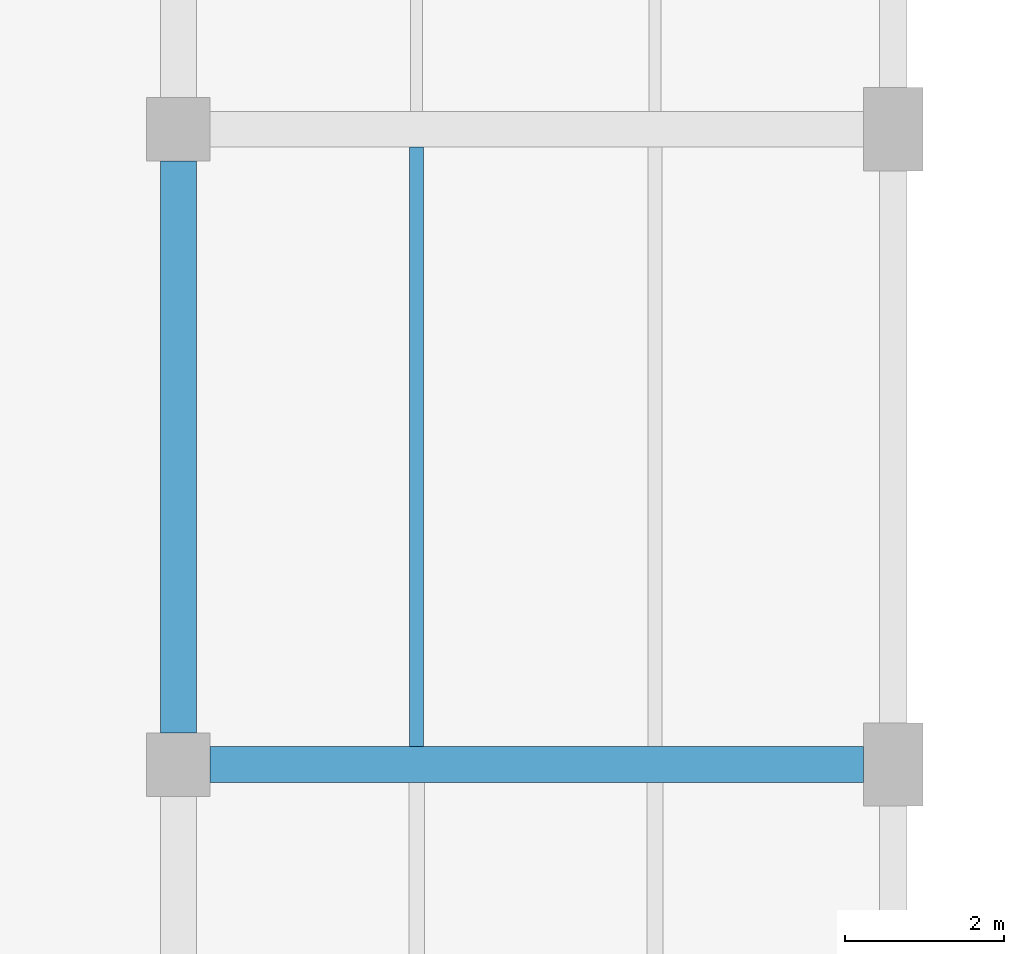
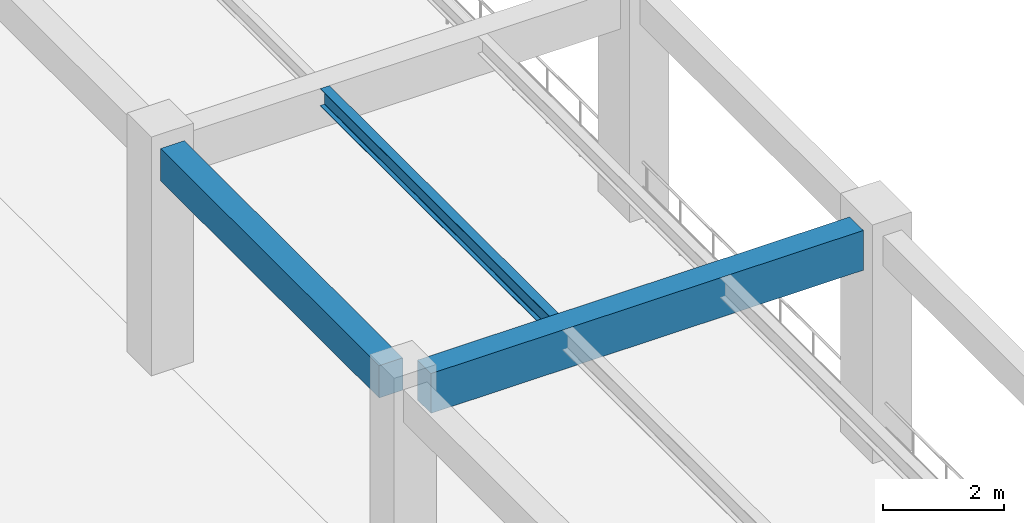
# One storey, part 70 of 178: 3 beams.
"""IFC4 building model written with IfcOpenShell, lengths in metres."""

from ifc_helpers import new_model, si_unit, derived_unit, direction, frame, origin, origin_2d, place, context, subcontext, project, spatial, rectangle, i_section, extrude, material, material_profile, profile_set, type_object, element, save


model = new_model("IFC4")

# Units and contexts
model_context = context("Model", 3, precision=1e-05, world=origin(), true_north=direction((0.0, 1.0)))
body_context = subcontext(model_context, "Body", "Model", "MODEL_VIEW")
ifc_project = project(units=[si_unit("LENGTHUNIT", "METRE"), si_unit("AREAUNIT", "SQUARE_METRE"), si_unit("VOLUMEUNIT", "CUBIC_METRE"), si_unit("PLANEANGLEUNIT", "RADIAN"), si_unit("MASSUNIT", "GRAM", prefix="KILO"), derived_unit("THERMALTRANSMITTANCEUNIT", [(si_unit("MASSUNIT", "GRAM", prefix="KILO"), 1), (si_unit("TIMEUNIT", "SECOND"), -3), (si_unit("THERMODYNAMICTEMPERATUREUNIT", "KELVIN"), -1)])], contexts=[model_context])

# Site, building, storey
site_placement = place(None, origin())
site = spatial("IfcSite", under=ifc_project, at=site_placement, CompositionType="ELEMENT")
building_placement = place(site_placement, origin())
building = spatial("IfcBuilding", under=site, at=building_placement, Name="Zhenchuan Archway Interchange", CompositionType="ELEMENT")
storey_placement = place(building_placement, frame((0.0, 0.0, 5.39990234375)))
storey = spatial("IfcBuildingStorey", under=building, at=storey_placement, Name="L01", CompositionType="ELEMENT", Elevation=5.39990234375)

# Beams
ifc_material_1 = material(Name="Concrete C40", Category="concrete")
ifc_material_profile_1 = material_profile(ifc_material_1, rectangle(XDim=0.449951171875, YDim=0.64990234375, at=origin_2d()), Name="RC 450x650")
ifc_profile_set_1 = profile_set([ifc_material_profile_1], Name="Concrete C40")
beam_type_1 = type_object("IfcBeamType", Name="BM_RC_450x650", PredefinedType="BEAM", material=ifc_profile_set_1)
beam_1_placement = place(storey_placement, frame((27.0, 64.39990234375, 4.18505859375), z_axis=(0.0, 1.0, 0.0), x_axis=(-1.0, 0.0, 0.0)))
element("IfcBeam", 1, at=beam_1_placement, inside=storey, type_object=beam_type_1, Name="Beam 4:J-K (L01)", PredefinedType="BEAM", context=body_context, shape_type="SweptSolid", body=[
    extrude(rectangle(XDim=0.449951171875, YDim=0.64990234375, at=origin_2d()), origin(), (0.0, 0.0, 1.0), 7.2001953125),
])
ifc_material_profile_2 = material_profile(ifc_material_1, rectangle(XDim=0.449951171875, YDim=0.800048828125, at=origin_2d()), Name="RC 450x800")
ifc_profile_set_2 = profile_set([ifc_material_profile_2], Name="Concrete C40")
beam_type_2 = type_object("IfcBeamType", Name="BM_RC_450x800", PredefinedType="BEAM", material=ifc_profile_set_2)
beam_2_placement = place(storey_placement, frame((27.39990234375, 64.0, 4.110107421875), z_axis=(1.0, 0.0, 0.0), x_axis=(0.0, 1.0, 0.0)))
element("IfcBeam", 2, at=beam_2_placement, inside=storey, type_object=beam_type_2, Name="Beam J:4-5 (L01)", PredefinedType="BEAM", context=body_context, shape_type="SweptSolid", body=[
    extrude(rectangle(XDim=0.449951171875, YDim=0.800048828125, at=origin_2d()), origin(), (0.0, 0.0, 1.0), 8.22509765625),
])
ifc_material_2 = material(Name="Steel Q355", Category="steel")
ifc_material_profile_3 = material_profile(ifc_material_2, i_section(OverallWidth=0.175048828125, OverallDepth=0.35009765625, WebThickness=0.007080078125, FlangeThickness=0.010986328125, FilletRadius=0.013916015625, at=origin_2d()), Name="HN 350x175")
ifc_profile_set_3 = profile_set([ifc_material_profile_3], Name="Steel Q355")
beam_type_3 = type_object("IfcBeamType", Name="JST_STL_HN350", PredefinedType="JOIST", material=ifc_profile_set_3)
beam_3_placement = place(storey_placement, frame((30.0, 64.22509765625, 4.335205078125), z_axis=(0.0, 1.0, 0.0), x_axis=(-1.0, 0.0, 0.0)))
element("IfcBeam", 3, at=beam_3_placement, inside=storey, type_object=beam_type_3, Name="Secondary joist 4-5/J-K #1 (L01)", PredefinedType="JOIST", context=body_context, shape_type="SweptSolid", body=[
    extrude(i_section(OverallWidth=0.175048828125, OverallDepth=0.35009765625, WebThickness=0.007080078125, FlangeThickness=0.010986328125, FilletRadius=0.013916015625, at=origin_2d()), origin(), (0.0, 0.0, 1.0), 7.5498046875),
])

save(model, "model.ifc")
